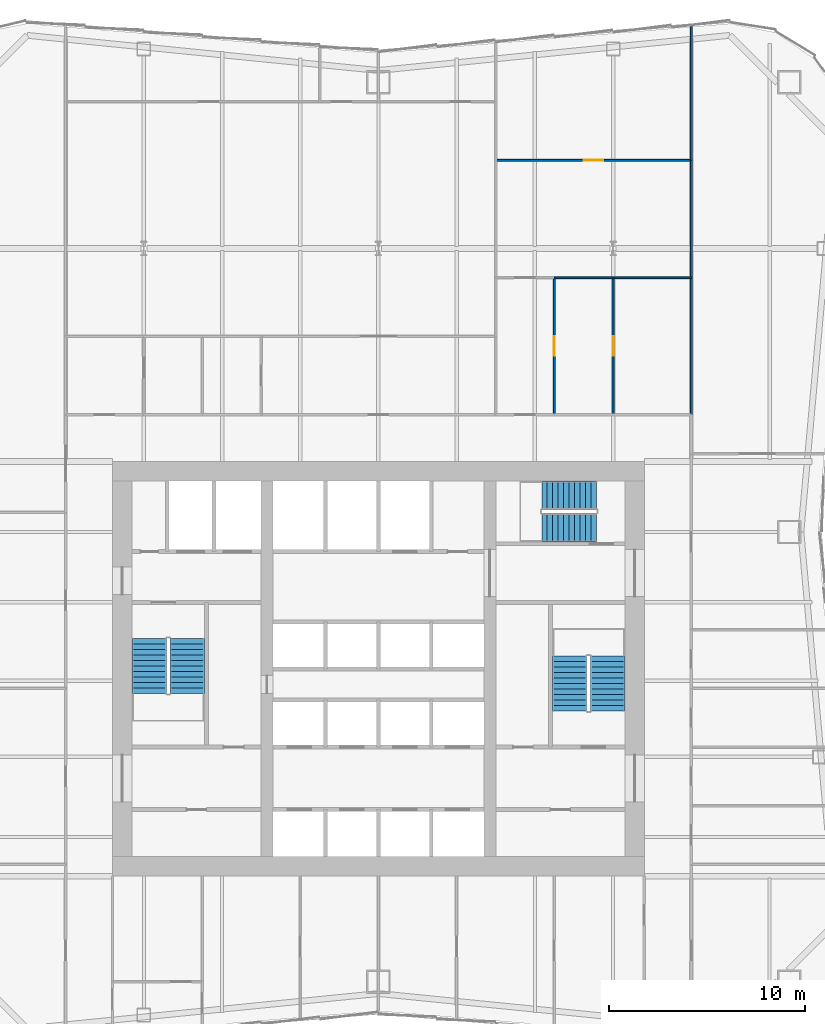
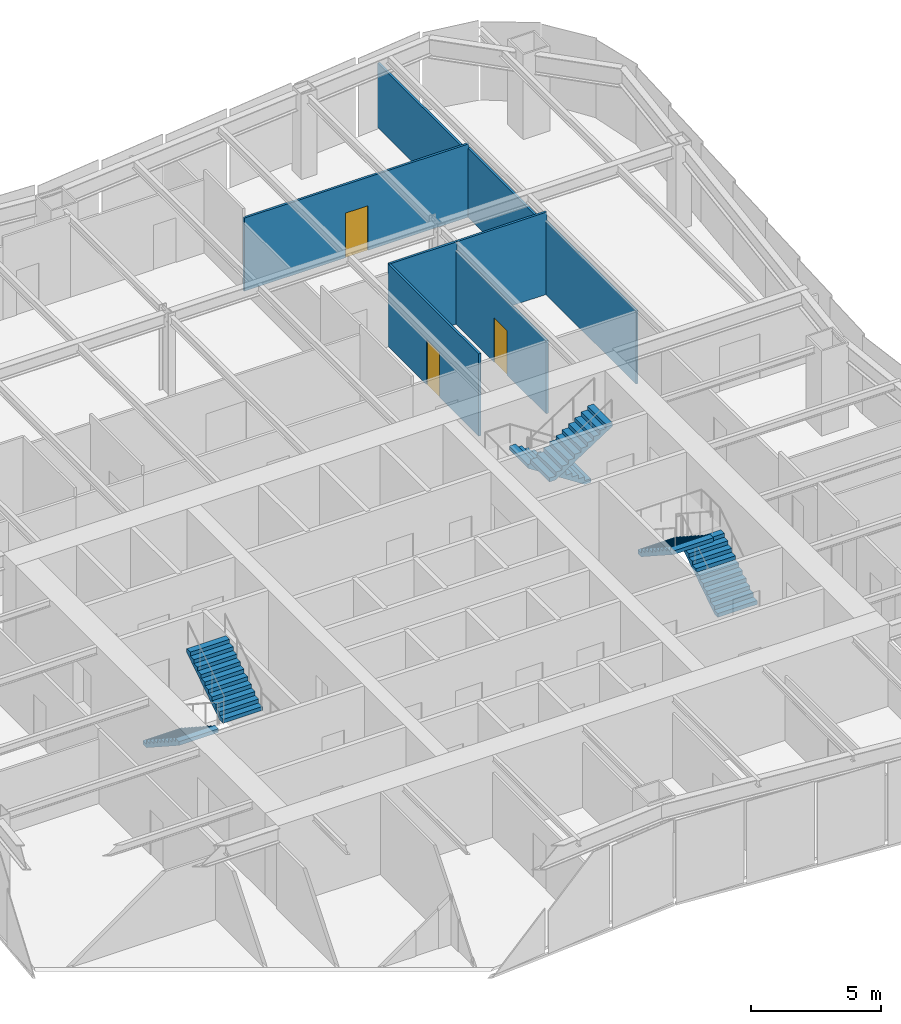
# One storey, part 7 of 8: 8 walls, 6 stair flights, 3 doors, 3 openings, 3 elements without a shape of their own.
"""IFC4 building model written with IfcOpenShell, lengths in metres."""

import ifcopenshell
import ifcopenshell.guid

model = None  # the IFC model being written
_history = None  # IfcOwnerHistory: only IFC2X3 demands one
_inside = {}  # id of a spatial element -> (the spatial element, [elements in it])
_under = {}  # id of a project, library or spatial element -> (it, [spatial elements below it])
_declared = {}  # id of a project -> (the project, [libraries it declares])
_typed = {}  # id of a type object -> (the type object, [elements of that type])
_made_of = {}  # id of a material, layer set ... -> (it, [elements and type objects made of it])


def new_model(schema):
    """Start an empty IFC model of exactly this schema.

    Asked for "IFC4X3", IfcOpenShell would pick the latest addendum, in which some entities
    have other attributes; the version numbers below select the first issue.
    IFC2X3 requires an IfcOwnerHistory on every rooted entity: one is made here for all.
    """
    global model, _history
    if schema == "IFC4X3":
        model = ifcopenshell.file(schema_version=(4, 3, 0, 0))
    else:
        model = ifcopenshell.file(schema=schema)
    _inside.clear()
    _under.clear()
    _declared.clear()
    _typed.clear()
    _made_of.clear()
    _history = None
    if model.schema == "IFC2X3":
        org = make("IfcOrganization", Name="unknown")
        user = make(
            "IfcPersonAndOrganization",
            ThePerson=make("IfcPerson", FamilyName="unknown"),
            TheOrganization=org,
        )
        app = make(
            "IfcApplication",
            ApplicationDeveloper=org,
            Version="unknown",
            ApplicationFullName="unknown",
            ApplicationIdentifier="unknown",
        )
        _history = make(
            "IfcOwnerHistory",
            OwningUser=user,
            OwningApplication=app,
            ChangeAction="ADDED",
            CreationDate=0,
        )
    return model


def make(cls, **values):
    """One entity of the class cls with the attributes given. An attribute that is None is left unset."""
    return model.create_entity(
        cls, **{name: value for name, value in values.items() if value is not None}
    )


def rooted(cls, **values):
    """An entity with a GlobalId (a new one), such as an element, a storey or a relation."""
    return make(cls, GlobalId=ifcopenshell.guid.new(), OwnerHistory=_history, **values)


def si_unit(unit_type, name, prefix=None):
    """IfcSIUnit, for example si_unit("LENGTHUNIT", "METRE", prefix="MILLI")."""
    return make("IfcSIUnit", UnitType=unit_type, Prefix=prefix, Name=name)


def assignment(units):
    """IfcUnitAssignment: the units of a project."""
    return None if units is None else make("IfcUnitAssignment", Units=units)


def point(xyz):
    """IfcCartesianPoint."""
    return None if xyz is None else make("IfcCartesianPoint", Coordinates=xyz)


def direction(xyz):
    """IfcDirection."""
    return None if xyz is None else make("IfcDirection", DirectionRatios=xyz)


def frame(location, z_axis=None, x_axis=None):
    """IfcAxis2Placement3D, a coordinate frame: its origin and axes. An axis left out is left unset."""
    return make(
        "IfcAxis2Placement3D",
        Location=point(location),
        Axis=direction(z_axis),
        RefDirection=direction(x_axis),
    )


def frame_2d(location, x_axis=None):
    """IfcAxis2Placement2D, a coordinate frame in the plane: its origin and x axis."""
    return make(
        "IfcAxis2Placement2D", Location=point(location), RefDirection=direction(x_axis)
    )


def origin():
    """The frame at (0, 0, 0) with its axes left unset."""
    return frame((0.0, 0.0, 0.0))


def place(relative_to, where):
    """IfcLocalPlacement: puts the frame where relative to a parent placement (None: the world)."""
    return make(
        "IfcLocalPlacement", PlacementRelTo=relative_to, RelativePlacement=where
    )


def context(
    kind, dimensions, precision=None, world=None, true_north=None, identifier=None
):
    """IfcGeometricRepresentationContext, for example the 3D "Model" context."""
    return make(
        "IfcGeometricRepresentationContext",
        ContextIdentifier=identifier,
        ContextType=kind,
        CoordinateSpaceDimension=dimensions,
        Precision=precision,
        WorldCoordinateSystem=world,
        TrueNorth=true_north,
    )


def subcontext(parent, identifier, kind, view, scale=None):
    """IfcGeometricRepresentationSubContext, for example "Body" below "Model"."""
    return make(
        "IfcGeometricRepresentationSubContext",
        ContextIdentifier=identifier,
        ContextType=kind,
        ParentContext=parent,
        TargetScale=scale,
        TargetView=view,
    )


def project(units=None, contexts=None):
    """IfcProject with its units and contexts."""
    return rooted(
        "IfcProject",
        Name="project",
        RepresentationContexts=contexts,
        UnitsInContext=assignment(units),
    )


def spatial(cls, under=None, at=None, **own):
    """A site, building, storey or space (cls), placed at a placement, below another one or the project."""
    s = rooted(cls, ObjectPlacement=at, **own)
    if under is not None:
        _under.setdefault(under.id(), (under, []))[1].append(s)
    return s


def polyline(points):
    """IfcPolyline through the points."""
    return make("IfcPolyline", Points=[point(p) for p in points])


def profile(cls, at=None, kind="AREA", **sizes):
    """A parametric profile (cls). Its sizes go by their IFC names, for example OverallWidth=200.0."""
    return make(cls, ProfileType=kind, Position=at, **sizes)


def rectangle(**sizes):
    """IfcRectangleProfileDef."""
    return profile("IfcRectangleProfileDef", **sizes)


def outline(outer, holes=None, kind="AREA"):
    """IfcArbitraryClosedProfileDef: a profile drawn as a closed curve; with holes, ...WithVoids."""
    if holes is None:
        return make("IfcArbitraryClosedProfileDef", ProfileType=kind, OuterCurve=outer)
    return make(
        "IfcArbitraryProfileDefWithVoids",
        ProfileType=kind,
        OuterCurve=outer,
        InnerCurves=holes,
    )


def extrude(swept, where, along, depth):
    """IfcExtrudedAreaSolid: the profile swept, set in the frame where, extruded along a direction by depth."""
    return make(
        "IfcExtrudedAreaSolid",
        SweptArea=swept,
        Position=where,
        ExtrudedDirection=direction(along),
        Depth=depth,
    )


def shape(context_of_items, identifier, shape_type, items):
    """IfcShapeRepresentation: the items that make up one representation, for example the "Body"."""
    return make(
        "IfcShapeRepresentation",
        ContextOfItems=context_of_items,
        RepresentationIdentifier=identifier,
        RepresentationType=shape_type,
        Items=items,
    )


def material(Name=None, Category=None):
    """IfcMaterial."""
    return make("IfcMaterial", Name=Name, Category=Category)


def layer(
    of_material, thickness, ventilated=None, Name=None, Category=None, Priority=None
):
    """IfcMaterialLayer: one layer of a wall or slab, of a material (None: an air gap)."""
    return make(
        "IfcMaterialLayer",
        Material=of_material,
        LayerThickness=thickness,
        IsVentilated=ventilated,
        Name=Name,
        Category=Category,
        Priority=Priority,
    )


def layer_set(layers, Name=None):
    """IfcMaterialLayerSet."""
    return make("IfcMaterialLayerSet", MaterialLayers=layers, LayerSetName=Name)


def made_of(thing, what):
    """Note that an element or type object is made of a material, layer set ...; save() writes the relation."""
    if what is not None:
        _made_of.setdefault(what.id(), (what, []))[1].append(thing)
    return thing


def type_object(cls, material=None, **own):
    """A type object (cls), such as IfcWallType, which elements share."""
    return made_of(rooted(cls, **own), material)


def element(
    cls,
    number,
    at=None,
    inside=None,
    cuts=None,
    type_object=None,
    material=None,
    context=None,
    identifier="Body",
    shape_type=None,
    held_by="IfcProductDefinitionShape",
    body=None,
    shapes=None,
    **own,
):
    """One element of the class cls, such as IfcWall. Its Tag is "e" and its number.

    at: its placement. inside: the storey or other place that contains it. cuts: it is an
    opening in that element (IfcRelVoidsElement). A single representation is given by context,
    identifier, shape_type and body (its items); several are given by shapes. held_by: the class
    of the entity that holds the representations. save() writes the other relations.
    """
    e = rooted(cls, Tag="e%d" % number, ObjectPlacement=at, **own)
    if body is not None:
        shapes = [shape(context, identifier, shape_type, body)]
    if shapes is not None:
        e.Representation = make(held_by, Representations=shapes)
    if inside is not None:
        _inside.setdefault(inside.id(), (inside, []))[1].append(e)
    if cuts is not None:
        rooted(
            "IfcRelVoidsElement", RelatingBuildingElement=cuts, RelatedOpeningElement=e
        )
    if type_object is not None:
        _typed.setdefault(type_object.id(), (type_object, []))[1].append(e)
    return made_of(e, material)


def fill(opening, filler):
    """IfcRelFillsElement: the door or window that sits in an opening."""
    return rooted(
        "IfcRelFillsElement",
        RelatingOpeningElement=opening,
        RelatedBuildingElement=filler,
    )


def aggregate(whole, parts):
    """IfcRelAggregates: a whole, such as a stair, and the parts it consists of."""
    return rooted("IfcRelAggregates", RelatingObject=whole, RelatedObjects=parts)


def save(model, path):
    """Write the relations noted so far, then the file.

    IfcRelAggregates (storeys below a building ...), IfcRelContainedInSpatialStructure (elements
    in a storey), IfcRelDefinesByType, IfcRelAssociatesMaterial and IfcRelDeclares: one each for
    every whole, place, type object, material and project.
    """
    for whole, parts in _under.values():
        aggregate(whole, parts)
    for where, things in _inside.values():
        rooted(
            "IfcRelContainedInSpatialStructure",
            RelatedElements=things,
            RelatingStructure=where,
        )
    for kind, things in _typed.values():
        rooted("IfcRelDefinesByType", RelatedObjects=things, RelatingType=kind)
    for what, things in _made_of.values():
        rooted("IfcRelAssociatesMaterial", RelatedObjects=things, RelatingMaterial=what)
    for by, libraries in _declared.values():
        rooted("IfcRelDeclares", RelatingContext=by, RelatedDefinitions=libraries)
    model.write(path)


model = new_model("IFC4")

# Units and contexts
model_context = context("Model", 3, precision=1e-05, world=origin(), true_north=direction((0.0, 1.0)))
body_context = subcontext(model_context, "Body", "Model", "MODEL_VIEW")
ifc_project = project(units=[si_unit("LENGTHUNIT", "METRE"), si_unit("AREAUNIT", "SQUARE_METRE"), si_unit("VOLUMEUNIT", "CUBIC_METRE"), si_unit("PLANEANGLEUNIT", "RADIAN"), si_unit("MASSUNIT", "GRAM", prefix="KILO")], contexts=[model_context])

# Site, building, storey
site_placement = place(None, origin())
site = spatial("IfcSite", under=ifc_project, at=site_placement, CompositionType="ELEMENT")
building_placement = place(site_placement, origin())
building = spatial("IfcBuilding", under=site, at=building_placement, Name="Verdant Reach Tower", CompositionType="ELEMENT")
storey_placement = place(building_placement, frame((0.0, 0.0, 154.0)))
storey = spatial("IfcBuildingStorey", under=building, at=storey_placement, Name="L35", CompositionType="ELEMENT", Elevation=154.0)

# Walls
ifc_material_1 = material(Name="Gypsum board on steel studs", Category="steel")
ifc_layer = layer(ifc_material_1, 0.10009765625)
ifc_layer_set = layer_set([ifc_layer], Name="FL-W1 Partition 100")
wall_type = type_object("IfcWallType", Name="FL-W1 Partition 100", PredefinedType="PARTITIONING", material=ifc_layer_set)
wall_1_placement = place(storey_placement, frame((16.0, 48.0, 0.0), z_axis=(0.0, 0.0, 1.0), x_axis=(0.0, -1.0, 0.0)))
element("IfcWall", 1, at=wall_1_placement, inside=storey, type_object=wall_type, Name="Partition 35.34", PredefinedType="PARTITIONING", context=body_context, shape_type="SweptSolid", body=[
    extrude(rectangle(XDim=7.0, YDim=0.10009765625, at=frame_2d((3.5, 0.0))), origin(), (0.0, 0.0, 1.0), 3.43994140625),
])
wall_2_placement = place(storey_placement, frame((16.0, 54.0, 0.0), z_axis=(0.0, 0.0, 1.0), x_axis=(0.0, -1.0, 0.0)))
element("IfcWall", 2, at=wall_2_placement, inside=storey, type_object=wall_type, Name="Partition 35.35", PredefinedType="PARTITIONING", context=body_context, shape_type="SweptSolid", body=[
    extrude(rectangle(XDim=6.0, YDim=0.10009765625, at=frame_2d((3.0, 0.0))), origin(), (0.0, 0.0, 1.0), 3.239990234375),
])
wall_3_placement = place(storey_placement, frame((16.0, 60.913330078125, 0.0), z_axis=(0.0, 0.0, 1.0), x_axis=(0.0, -1.0, 0.0)))
element("IfcWall", 3, at=wall_3_placement, inside=storey, type_object=wall_type, Name="Partition 35.36", PredefinedType="PARTITIONING", context=body_context, shape_type="SweptSolid", body=[
    extrude(rectangle(XDim=6.913330078125, YDim=0.10009765625, at=frame_2d((3.45654296875, 0.0))), origin(), (0.0, 0.0, 1.0), 3.0400390625),
])

# Wall, opening, door
wall_4_placement = place(storey_placement, frame((9.0, 48.0, 0.0), z_axis=(0.0, 0.0, 1.0), x_axis=(0.0, -1.0, 0.0)))
wall_4 = element("IfcWall", 4, at=wall_4_placement, inside=storey, type_object=wall_type, Name="Partition 35.61", PredefinedType="PARTITIONING", context=body_context, shape_type="SweptSolid", body=[
    extrude(rectangle(XDim=7.0, YDim=0.10009765625, at=frame_2d((3.5, 0.0))), origin(), (0.0, 0.0, 1.0), 3.8701171875),
])
opening_1_placement = place(wall_4_placement, frame((3.0, 0.0, 0.0)))
opening_1 = element("IfcOpeningElement", 5, at=opening_1_placement, cuts=wall_4, Name="Opening D3", PredefinedType="OPENING", context=body_context, shape_type="SweptSolid", body=[
    extrude(rectangle(XDim=1.0, YDim=2.10009765625, at=frame_2d((0.5, 1.050048828125))), frame((0.0, 0.06005859375, 0.0), z_axis=(0.0, -1.0, 0.0), x_axis=(1.0, 0.0, 0.0)), (0.0, 0.0, 1.0), 0.1201171875),
])
ifc_material_2 = material(Name="Painted timber door leaf", Category="wood")
door_type = type_object("IfcDoorType", Name="FL-D3 Door 1000x2100", OperationType="NOTDEFINED", PredefinedType="DOOR", material=ifc_material_2)
door_1_placement = place(opening_1_placement, origin())
door_1 = element("IfcDoor", 6, at=door_1_placement, inside=storey, type_object=door_type, Name="Door 35-028", OperationType="SINGLE_SWING_RIGHT", OverallHeight=2.10009765625, OverallWidth=1.0, PredefinedType="DOOR", context=body_context, shape_type="SweptSolid", body=[
    extrude(rectangle(XDim=1.0, YDim=2.10009765625, at=frame_2d((0.5, 1.050048828125))), frame((0.0, 0.02490234375, 0.0), z_axis=(0.0, -1.0, 0.0), x_axis=(1.0, 0.0, 0.0)), (0.0, 0.0, 1.0), 0.050048828125),
])
fill(opening_1, door_1)

wall_5_placement = place(storey_placement, frame((12.0, 48.0, 0.0), z_axis=(0.0, 0.0, 1.0), x_axis=(0.0, -1.0, 0.0)))
wall_5 = element("IfcWall", 7, at=wall_5_placement, inside=storey, type_object=wall_type, Name="Partition 35.63", PredefinedType="PARTITIONING", context=body_context, shape_type="SweptSolid", body=[
    extrude(rectangle(XDim=7.0, YDim=0.10009765625, at=frame_2d((3.5, 0.0))), origin(), (0.0, 0.0, 1.0), 3.43994140625),
])
opening_2_placement = place(wall_5_placement, frame((3.0, 0.0, 0.0)))
opening_2 = element("IfcOpeningElement", 8, at=opening_2_placement, cuts=wall_5, Name="Opening D3", PredefinedType="OPENING", context=body_context, shape_type="SweptSolid", body=[
    extrude(rectangle(XDim=1.0, YDim=2.10009765625, at=frame_2d((0.5, 1.050048828125))), frame((0.0, 0.06005859375, 0.0), z_axis=(0.0, -1.0, 0.0), x_axis=(1.0, 0.0, 0.0)), (0.0, 0.0, 1.0), 0.1201171875),
])
door_2_placement = place(opening_2_placement, origin())
door_2 = element("IfcDoor", 9, at=door_2_placement, inside=storey, type_object=door_type, Name="Door 35-030", OperationType="SINGLE_SWING_RIGHT", OverallHeight=2.10009765625, OverallWidth=1.0, PredefinedType="DOOR", context=body_context, shape_type="SweptSolid", body=[
    extrude(rectangle(XDim=1.0, YDim=2.10009765625, at=frame_2d((0.5, 1.050048828125))), frame((0.0, 0.02490234375, 0.0), z_axis=(0.0, -1.0, 0.0), x_axis=(1.0, 0.0, 0.0)), (0.0, 0.0, 1.0), 0.050048828125),
])
fill(opening_2, door_2)

# Walls
wall_6_placement = place(storey_placement, frame((12.00390625, 48.0, 0.0), z_axis=(0.0, 0.0, 1.0), x_axis=(-1.0, 0.0, 0.0)))
element("IfcWall", 10, at=wall_6_placement, inside=storey, type_object=wall_type, Name="Partition 35.64", PredefinedType="PARTITIONING", context=body_context, shape_type="SweptSolid", body=[
    extrude(rectangle(XDim=3.0078125, YDim=0.10009765625, at=frame_2d((1.50390625, 0.0))), origin(), (0.0, 0.0, 1.0), 3.8701171875),
])
wall_7_placement = place(storey_placement, frame((16.0, 48.0, 0.0), z_axis=(0.0, 0.0, 1.0), x_axis=(-1.0, 0.0, 0.0)))
element("IfcWall", 11, at=wall_7_placement, inside=storey, type_object=wall_type, Name="Partition 35.65", PredefinedType="PARTITIONING", context=body_context, shape_type="SweptSolid", body=[
    extrude(rectangle(XDim=4.00390625, YDim=0.10009765625, at=frame_2d((2.001953125, 0.0))), origin(), (0.0, 0.0, 1.0), 3.8701171875),
])

# Wall, opening, door
wall_8_placement = place(storey_placement, frame((6.0, 54.0, 0.0), z_axis=(0.0, 0.0, 1.0), x_axis=(1.0, 0.0, 0.0)))
wall_8 = element("IfcWall", 12, at=wall_8_placement, inside=storey, type_object=wall_type, Name="Partition 35.66", PredefinedType="PARTITIONING", context=body_context, shape_type="SweptSolid", body=[
    extrude(rectangle(XDim=10.0, YDim=0.10009765625, at=frame_2d((5.0, 0.0))), origin(), (0.0, 0.0, 1.0), 3.43994140625),
])
opening_3_placement = place(wall_8_placement, frame((4.5, 0.0, 0.0)))
opening_3 = element("IfcOpeningElement", 13, at=opening_3_placement, cuts=wall_8, Name="Opening D3", PredefinedType="OPENING", context=body_context, shape_type="SweptSolid", body=[
    extrude(rectangle(XDim=1.0, YDim=2.10009765625, at=frame_2d((0.5, 1.050048828125))), frame((0.0, 0.06005859375, 0.0), z_axis=(0.0, -1.0, 0.0), x_axis=(1.0, 0.0, 0.0)), (0.0, 0.0, 1.0), 0.1201171875),
])
door_3_placement = place(opening_3_placement, origin())
door_3 = element("IfcDoor", 14, at=door_3_placement, inside=storey, type_object=door_type, Name="Door 35-031", OperationType="SINGLE_SWING_LEFT", OverallHeight=2.10009765625, OverallWidth=1.0, PredefinedType="DOOR", context=body_context, shape_type="SweptSolid", body=[
    extrude(rectangle(XDim=1.0, YDim=2.10009765625, at=frame_2d((0.5, 1.050048828125))), frame((0.0, 0.02490234375, 0.0), z_axis=(0.0, -1.0, 0.0), x_axis=(1.0, 0.0, 0.0)), (0.0, 0.0, 1.0), 0.050048828125),
])
fill(opening_3, door_3)

# Stair, stair flights
ifc_material_3 = material(Name="Concrete C40/50", Category="concrete")
stair_type = type_object("IfcStairType", Name="CO-STAIR", PredefinedType="HALF_TURN_STAIR", material=ifc_material_3)
stair_1_placement = place(storey_placement, origin())
stair_1 = element("IfcStair", 15, at=stair_1_placement, inside=storey, type_object=stair_type, Name="L35 Exit stair 1", PredefinedType="HALF_TURN_STAIR")
stair_flight_type = type_object("IfcStairFlightType", Name="CO-STAIR-FLIGHT", PredefinedType="STRAIGHT", material=ifc_material_3)
stair_flight_1_placement = place(storey_placement, frame((-11.72509765625, 29.550048828125, 0.0), z_axis=(0.0, 0.0, 1.0), x_axis=(0.0, -1.0, 0.0)))
stair_flight_1 = element("IfcStairFlight", 16, at=stair_flight_1_placement, type_object=stair_flight_type, Name="ST-1 flight 1", NumberOfRisers=11, NumberOfTreads=10, PredefinedType="STRAIGHT", RiserHeight=0.181818182, TreadLength=0.28, context=body_context, shape_type="SweptSolid", body=[
    extrude(outline(polyline([(0.0, 0.0), (0.0, 0.181884765625), (0.280029296875, 0.181884765625), (0.280029296875, 0.363525390625), (0.56005859375, 0.363525390625), (0.56005859375, 0.54541015625), (0.840087890625, 0.54541015625), (0.840087890625, 0.727294921875), (1.1201171875, 0.727294921875), (1.1201171875, 0.9091796875), (1.39990234375, 0.9091796875), (1.39990234375, 1.0908203125), (1.679931640625, 1.0908203125), (1.679931640625, 1.272705078125), (1.9599609375, 1.272705078125), (1.9599609375, 1.45458984375), (2.239990234375, 1.45458984375), (2.239990234375, 1.636474609375), (2.52001953125, 1.636474609375), (2.52001953125, 1.818115234375), (2.800048828125, 1.818115234375), (2.800048828125, 2.0), (2.800048828125, 1.639404296875), (0.275146484375, 0.0), (0.0, 0.0)])), frame((0.0, 0.875, 0.0), z_axis=(0.0, -1.0, 0.0), x_axis=(1.0, 0.0, 0.0)), (0.0, 0.0, 1.0), 1.75),
])
stair_flight_2_placement = place(storey_placement, frame((-9.77490234375, 26.75, 2.0), z_axis=(0.0, 0.0, 1.0), x_axis=(0.0, 1.0, 0.0)))
stair_flight_2 = element("IfcStairFlight", 17, at=stair_flight_2_placement, type_object=stair_flight_type, Name="ST-1 flight 2", NumberOfRisers=11, NumberOfTreads=10, PredefinedType="STRAIGHT", RiserHeight=0.181818182, TreadLength=0.28, context=body_context, shape_type="SweptSolid", body=[
    extrude(outline(polyline([(0.0, 0.0), (0.0, 0.181884765625), (0.280029296875, 0.181884765625), (0.280029296875, 0.363525390625), (0.56005859375, 0.363525390625), (0.56005859375, 0.54541015625), (0.840087890625, 0.54541015625), (0.840087890625, 0.727294921875), (1.1201171875, 0.727294921875), (1.1201171875, 0.9091796875), (1.39990234375, 0.9091796875), (1.39990234375, 1.0908203125), (1.679931640625, 1.0908203125), (1.679931640625, 1.272705078125), (1.9599609375, 1.272705078125), (1.9599609375, 1.45458984375), (2.239990234375, 1.45458984375), (2.239990234375, 1.636474609375), (2.52001953125, 1.636474609375), (2.52001953125, 1.818115234375), (2.800048828125, 1.818115234375), (2.800048828125, 2.0), (2.800048828125, 1.639404296875), (0.275146484375, 0.0), (0.0, 0.0)])), frame((0.0, 0.875, 0.0), z_axis=(0.0, -1.0, 0.0), x_axis=(1.0, 0.0, 0.0)), (0.0, 0.0, 1.0), 1.75),
])
aggregate(stair_1, [stair_flight_1, stair_flight_2])

stair_2_placement = place(storey_placement, origin())
stair_2 = element("IfcStair", 18, at=stair_2_placement, inside=storey, type_object=stair_type, Name="L35 Exit stair 2", PredefinedType="HALF_TURN_STAIR")
stair_flight_3_placement = place(storey_placement, frame((11.72509765625, 25.85009765625, 0.0), z_axis=(0.0, 0.0, 1.0), x_axis=(0.0, 1.0, 0.0)))
stair_flight_3 = element("IfcStairFlight", 19, at=stair_flight_3_placement, type_object=stair_flight_type, Name="ST-2 flight 1", NumberOfRisers=11, NumberOfTreads=10, PredefinedType="STRAIGHT", RiserHeight=0.181818182, TreadLength=0.28, context=body_context, shape_type="SweptSolid", body=[
    extrude(outline(polyline([(0.0, 0.0), (0.0, 0.181884765625), (0.280029296875, 0.181884765625), (0.280029296875, 0.363525390625), (0.56005859375, 0.363525390625), (0.56005859375, 0.54541015625), (0.840087890625, 0.54541015625), (0.840087890625, 0.727294921875), (1.1201171875, 0.727294921875), (1.1201171875, 0.9091796875), (1.39990234375, 0.9091796875), (1.39990234375, 1.0908203125), (1.679931640625, 1.0908203125), (1.679931640625, 1.272705078125), (1.9599609375, 1.272705078125), (1.9599609375, 1.45458984375), (2.239990234375, 1.45458984375), (2.239990234375, 1.636474609375), (2.52001953125, 1.636474609375), (2.52001953125, 1.818115234375), (2.800048828125, 1.818115234375), (2.800048828125, 2.0), (2.800048828125, 1.639404296875), (0.275146484375, 0.0), (0.0, 0.0)])), frame((0.0, 0.875, 0.0), z_axis=(0.0, -1.0, 0.0), x_axis=(1.0, 0.0, 0.0)), (0.0, 0.0, 1.0), 1.75),
])
stair_flight_4_placement = place(storey_placement, frame((9.77490234375, 28.64990234375, 2.0), z_axis=(0.0, 0.0, 1.0), x_axis=(0.0, -1.0, 0.0)))
stair_flight_4 = element("IfcStairFlight", 20, at=stair_flight_4_placement, type_object=stair_flight_type, Name="ST-2 flight 2", NumberOfRisers=11, NumberOfTreads=10, PredefinedType="STRAIGHT", RiserHeight=0.181818182, TreadLength=0.28, context=body_context, shape_type="SweptSolid", body=[
    extrude(outline(polyline([(0.0, 0.0), (0.0, 0.181884765625), (0.280029296875, 0.181884765625), (0.280029296875, 0.363525390625), (0.56005859375, 0.363525390625), (0.56005859375, 0.54541015625), (0.840087890625, 0.54541015625), (0.840087890625, 0.727294921875), (1.1201171875, 0.727294921875), (1.1201171875, 0.9091796875), (1.39990234375, 0.9091796875), (1.39990234375, 1.0908203125), (1.679931640625, 1.0908203125), (1.679931640625, 1.272705078125), (1.9599609375, 1.272705078125), (1.9599609375, 1.45458984375), (2.239990234375, 1.45458984375), (2.239990234375, 1.636474609375), (2.52001953125, 1.636474609375), (2.52001953125, 1.818115234375), (2.800048828125, 1.818115234375), (2.800048828125, 2.0), (2.800048828125, 1.639404296875), (0.275146484375, 0.0), (0.0, 0.0)])), frame((0.0, 0.875, 0.0), z_axis=(0.0, -1.0, 0.0), x_axis=(1.0, 0.0, 0.0)), (0.0, 0.0, 1.0), 1.75),
])
aggregate(stair_2, [stair_flight_3, stair_flight_4])

stair_3_placement = place(storey_placement, origin())
stair_3 = element("IfcStair", 21, at=stair_3_placement, inside=storey, type_object=stair_type, Name="L35 Exit stair 3", PredefinedType="HALF_TURN_STAIR")
stair_flight_5_placement = place(storey_placement, frame((11.14990234375, 36.875, 0.0), z_axis=(0.0, 0.0, 1.0), x_axis=(-1.0, 0.0, 0.0)))
stair_flight_5 = element("IfcStairFlight", 22, at=stair_flight_5_placement, type_object=stair_flight_type, Name="ST-3 flight 1", NumberOfRisers=11, NumberOfTreads=10, PredefinedType="STRAIGHT", RiserHeight=0.181818182, TreadLength=0.28, context=body_context, shape_type="SweptSolid", body=[
    extrude(outline(polyline([(0.0, 0.0), (0.0, 0.181884765625), (0.280029296875, 0.181884765625), (0.280029296875, 0.363525390625), (0.56005859375, 0.363525390625), (0.56005859375, 0.54541015625), (0.840087890625, 0.54541015625), (0.840087890625, 0.727294921875), (1.1201171875, 0.727294921875), (1.1201171875, 0.9091796875), (1.39990234375, 0.9091796875), (1.39990234375, 1.0908203125), (1.679931640625, 1.0908203125), (1.679931640625, 1.272705078125), (1.9599609375, 1.272705078125), (1.9599609375, 1.45458984375), (2.239990234375, 1.45458984375), (2.239990234375, 1.636474609375), (2.52001953125, 1.636474609375), (2.52001953125, 1.818115234375), (2.800048828125, 1.818115234375), (2.800048828125, 2.0), (2.800048828125, 1.639404296875), (0.275146484375, 0.0), (0.0, 0.0)])), frame((0.0, 0.72509765625, 0.0), z_axis=(0.0, -1.0, 0.0), x_axis=(1.0, 0.0, 0.0)), (0.0, 0.0, 1.0), 1.449951171875),
])
stair_flight_6_placement = place(storey_placement, frame((8.35009765625, 35.22509765625, 2.0), z_axis=(0.0, 0.0, 1.0), x_axis=(1.0, 0.0, 0.0)))
stair_flight_6 = element("IfcStairFlight", 23, at=stair_flight_6_placement, type_object=stair_flight_type, Name="ST-3 flight 2", NumberOfRisers=11, NumberOfTreads=10, PredefinedType="STRAIGHT", RiserHeight=0.181818182, TreadLength=0.28, context=body_context, shape_type="SweptSolid", body=[
    extrude(outline(polyline([(0.0, 0.0), (0.0, 0.181884765625), (0.280029296875, 0.181884765625), (0.280029296875, 0.363525390625), (0.56005859375, 0.363525390625), (0.56005859375, 0.54541015625), (0.840087890625, 0.54541015625), (0.840087890625, 0.727294921875), (1.1201171875, 0.727294921875), (1.1201171875, 0.9091796875), (1.39990234375, 0.9091796875), (1.39990234375, 1.0908203125), (1.679931640625, 1.0908203125), (1.679931640625, 1.272705078125), (1.9599609375, 1.272705078125), (1.9599609375, 1.45458984375), (2.239990234375, 1.45458984375), (2.239990234375, 1.636474609375), (2.52001953125, 1.636474609375), (2.52001953125, 1.818115234375), (2.800048828125, 1.818115234375), (2.800048828125, 2.0), (2.800048828125, 1.639404296875), (0.275146484375, 0.0), (0.0, 0.0)])), frame((0.0, 0.72509765625, 0.0), z_axis=(0.0, -1.0, 0.0), x_axis=(1.0, 0.0, 0.0)), (0.0, 0.0, 1.0), 1.449951171875),
])
aggregate(stair_3, [stair_flight_5, stair_flight_6])

save(model, "model.ifc")
